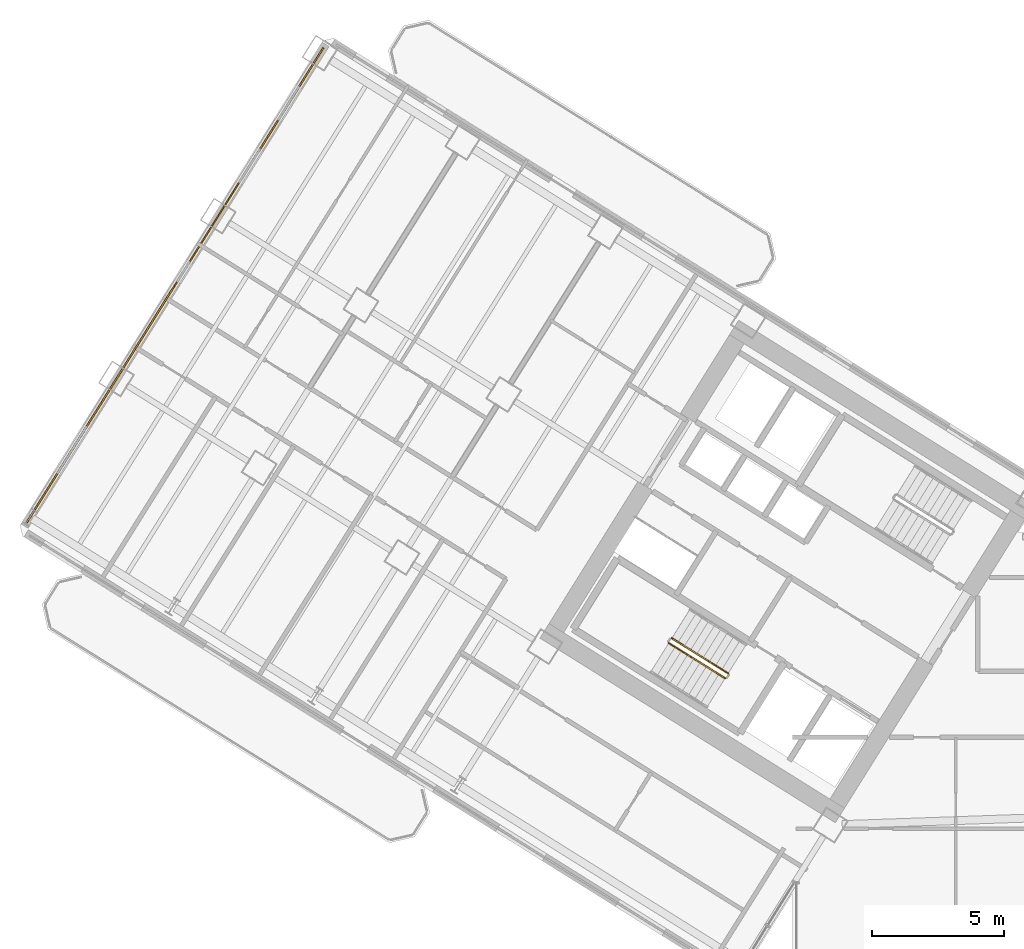
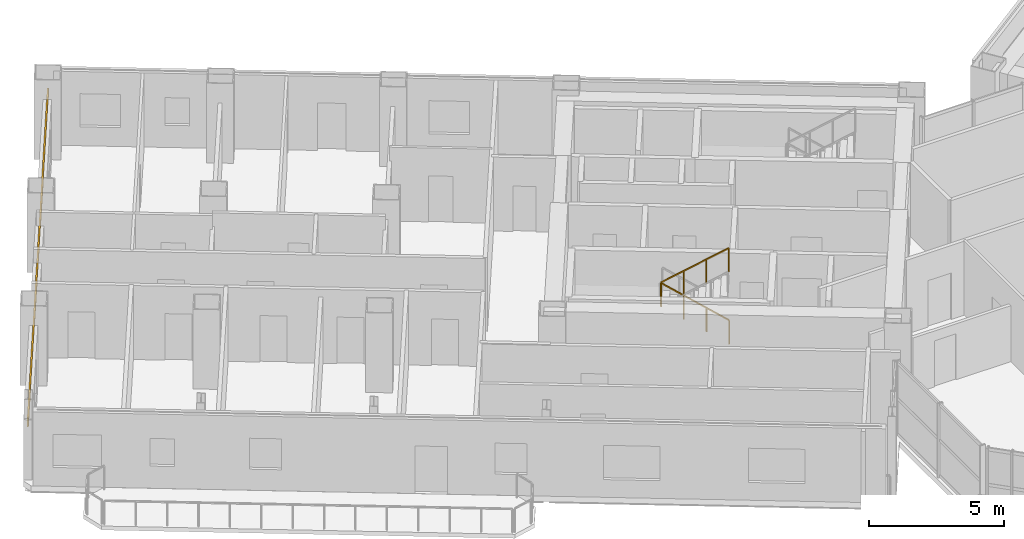
# One storey, part 23 of 28: 2 railings, 1 covering.
"""IFC4 building model written with IfcOpenShell, lengths in metres."""

from ifc_helpers import new_model, si_unit, direction, frame, origin, origin_2d, place, context, subcontext, project, spatial, rectangle, extrude, source, transform, mapped, material, layer, layer_set, type_object, element, save


model = new_model("IFC4")

# Units and contexts
model_context = context("Model", 3, precision=1e-05, world=origin(), true_north=direction((0.0, 1.0)))
body_context = subcontext(model_context, "Body", "Model", "MODEL_VIEW")
ifc_project = project(units=[si_unit("LENGTHUNIT", "METRE"), si_unit("AREAUNIT", "SQUARE_METRE"), si_unit("VOLUMEUNIT", "CUBIC_METRE"), si_unit("PLANEANGLEUNIT", "RADIAN"), si_unit("MASSUNIT", "GRAM", prefix="KILO")], contexts=[model_context])

# Site, building, storey
site_placement = place(None, origin())
site = spatial("IfcSite", under=ifc_project, at=site_placement, CompositionType="ELEMENT")
building_placement = place(site_placement, origin())
building = spatial("IfcBuilding", under=site, at=building_placement, Name="Tlacorven Tower", CompositionType="ELEMENT")
storey_placement = place(building_placement, frame((0.0, 0.0, 56.39990234375)))
storey = spatial("IfcBuildingStorey", under=building, at=storey_placement, Name="L14", CompositionType="ELEMENT", Elevation=56.39990234375)

# Covering
ifc_material_1 = material(Name="Precast concrete C45/55", Category="concrete")
ifc_layer = layer(ifc_material_1, 0.06005859375)
ifc_layer_set = layer_set([ifc_layer], Name="Precast concrete C45/55")
covering_type = type_object("IfcCoveringType", Name="CV-CLD-TERC", PredefinedType="CLADDING", material=ifc_layer_set)
shared_shape_1 = source(origin(), body_context, "Body", "SweptSolid", [
    extrude(rectangle(XDim=21.287353515625, YDim=0.06005859375, at=origin_2d()), origin(), (0.0, 0.0, 1.0), 0.419921875),
])
covering_placement = place(storey_placement, frame((8.13427734375, 32.606201171875, 2.30517578125), z_axis=(0.0, 0.0, 1.0), x_axis=(0.529918940959, 0.84804829816, 0.0)))
element("IfcCovering", 1, at=covering_placement, inside=storey, type_object=covering_type, Name="L14 Masonry-Frame Spandrel Cladding 2", PredefinedType="CLADDING", context=body_context, shape_type="MappedRepresentation", body=[
    mapped(shared_shape_1, transform((0.0, 0.0, 0.0), scale=1.0)),
])

# Railings
ifc_material_2 = material(Name="Aluminium and painted steel balustrade", Category="steel")
railing_type = type_object("IfcRailingType", Name="RL-GRD-1100", PredefinedType="GUARDRAIL", material=ifc_material_2)
shared_shape_2 = source(origin(), body_context, "Body", "SweptSolid", [
    extrude(rectangle(XDim=0.048095703125, YDim=0.048095703125, at=origin_2d()), frame((0.0, 0.0, 1.076171875), z_axis=(0.713359751793, -0.4457479829, 0.540764828981), x_axis=(0.529911857636, 0.848052724267, 0.0)), (0.0, 0.0, 1.0), 2.99609375),
    extrude(rectangle(XDim=0.0419921875, YDim=0.0419921875, at=origin_2d()), origin(), (0.0, 0.0, 1.0), 1.052001953125),
    extrude(rectangle(XDim=0.0419921875, YDim=0.0419921875, at=origin_2d()), frame((0.71240234375, -0.445068359375, 0.5400390625)), (0.0, 0.0, 1.0), 1.052001953125),
    extrude(rectangle(XDim=0.0419921875, YDim=0.0419921875, at=origin_2d()), frame((1.4248046875, -0.890380859375, 1.080078125)), (0.0, 0.0, 1.0), 1.052001953125),
    extrude(rectangle(XDim=0.0419921875, YDim=0.0419921875, at=origin_2d()), frame((2.13720703125, -1.33544921875, 1.6201171875)), (0.0, 0.0, 1.0), 1.052001953125),
])
railing_1_placement = place(storey_placement, frame((26.906982421875, 19.000732421875, 1.97998046875)))
element("IfcRailing", 2, at=railing_1_placement, inside=storey, type_object=railing_type, Name="L14 ST-W1 stair guard 3", PredefinedType="GUARDRAIL", context=body_context, shape_type="MappedRepresentation", body=[
    mapped(shared_shape_2, transform((0.0, 0.0, 0.0), scale=1.0)),
])
shared_shape_3 = source(origin(), body_context, "Body", "SweptSolid", [
    extrude(rectangle(XDim=0.048095703125, YDim=0.048095703125, at=origin_2d()), frame((0.0, 0.0, 1.076171875), z_axis=(-0.713351164325, 0.445793541512, 0.540738601085), x_axis=(-0.529955395941, -0.84802551749, 0.0)), (0.0, 0.0, 1.0), 2.99560546875),
    extrude(rectangle(XDim=0.0419921875, YDim=0.0419921875, at=origin_2d()), origin(), (0.0, 0.0, 1.0), 1.052001953125),
    extrude(rectangle(XDim=0.0419921875, YDim=0.0419921875, at=origin_2d()), frame((-0.71240234375, 0.445068359375, 0.5400390625)), (0.0, 0.0, 1.0), 1.052001953125),
    extrude(rectangle(XDim=0.0419921875, YDim=0.0419921875, at=origin_2d()), frame((-1.424560546875, 0.890380859375, 1.079833984375)), (0.0, 0.0, 1.0), 1.052001953125),
    extrude(rectangle(XDim=0.0419921875, YDim=0.0419921875, at=origin_2d()), frame((-2.136962890625, 1.33544921875, 1.619873046875)), (0.0, 0.0, 1.0), 1.052001953125),
])
railing_2_placement = place(storey_placement, frame((29.16064453125, 17.851806640625, 0.18017578125)))
element("IfcRailing", 3, at=railing_2_placement, inside=storey, type_object=railing_type, Name="L14 ST-W1 stair guard 1", PredefinedType="GUARDRAIL", context=body_context, shape_type="MappedRepresentation", body=[
    mapped(shared_shape_3, transform((0.0, 0.0, 0.0), scale=1.0)),
])

save(model, "model.ifc")
